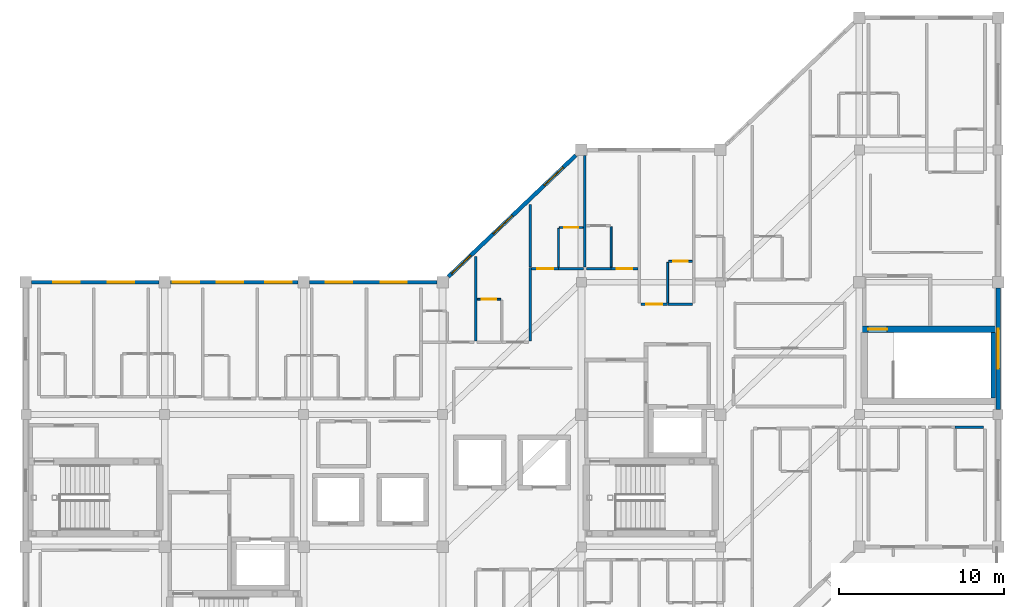
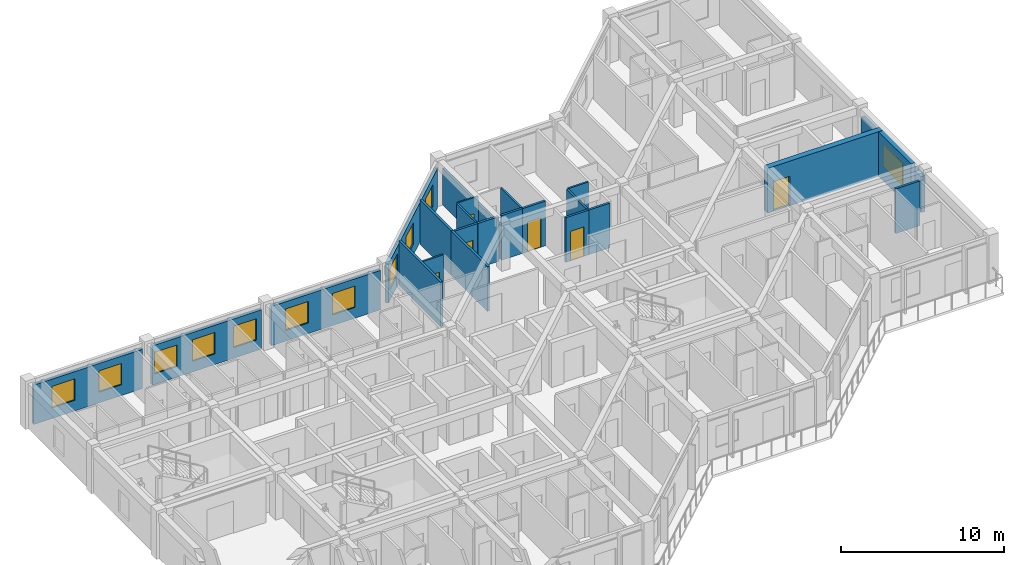
# One storey, part 11 of 15: 24 walls, 11 windows, 7 doors, 18 openings.
"""IFC4 building model written with IfcOpenShell, lengths in metres."""

from ifc_helpers import new_model, si_unit, direction, frame, frame_2d, origin, place, context, subcontext, project, spatial, rectangle, extrude, material, layer, layer_set, type_object, element, fill, save


model = new_model("IFC4")

# Units and contexts
model_context = context("Model", 3, precision=1e-05, world=origin(), true_north=direction((0.0, 1.0)))
body_context = subcontext(model_context, "Body", "Model", "MODEL_VIEW")
ifc_project = project(units=[si_unit("LENGTHUNIT", "METRE"), si_unit("AREAUNIT", "SQUARE_METRE"), si_unit("VOLUMEUNIT", "CUBIC_METRE"), si_unit("PLANEANGLEUNIT", "RADIAN"), si_unit("MASSUNIT", "GRAM", prefix="KILO")], contexts=[model_context])

# Site, building, storey
site_placement = place(None, origin())
site = spatial("IfcSite", under=ifc_project, at=site_placement, CompositionType="ELEMENT")
building_placement = place(site_placement, origin())
building = spatial("IfcBuilding", under=site, at=building_placement, Name="Naruveol Harbour Congress Hotel", CompositionType="ELEMENT")
storey_placement = place(building_placement, frame((0.0, 0.0, 32.39990234375)))
storey = spatial("IfcBuildingStorey", under=building, at=storey_placement, Name="L07", CompositionType="ELEMENT", Elevation=32.39990234375)

# Wall, opening, window
ifc_material_1 = material(Name="Precast concrete C40/50", Category="concrete")
ifc_layer_1 = layer(ifc_material_1, 0.280029296875)
ifc_layer_set_1 = layer_set([ifc_layer_1], Name="Precast concrete C40/50")
wall_type_1 = type_object("IfcWallType", Name="ARCHITECTURAL PRECAST FACADE WALL 280", PredefinedType="SOLIDWALL", material=ifc_layer_set_1)
wall_1_placement = place(storey_placement, frame((176.39990234375, 31.64990234375, 0.0), z_axis=(0.0, 0.0, 1.0), x_axis=(0.0, -1.0, 0.0)))
wall_1 = element("IfcWall", 1, at=wall_1_placement, inside=storey, type_object=wall_type_1, Name="Hotel east gable wall L07 EW-280", PredefinedType="SOLIDWALL", context=body_context, shape_type="SweptSolid", body=[
    extrude(rectangle(XDim=7.349853515625, YDim=0.280029296875, at=frame_2d((3.6748046875, 0.0))), origin(), (0.0, 0.0, 1.0), 2.7001953125),
])
opening_1_placement = place(wall_1_placement, frame((2.47509765625, 0.0, 0.5)))
opening_1 = element("IfcOpeningElement", 2, at=opening_1_placement, cuts=wall_1, Name="Opening W-07", PredefinedType="OPENING", context=body_context, shape_type="SweptSolid", body=[
    extrude(rectangle(XDim=2.39990234375, YDim=1.64990234375, at=frame_2d((1.199951171875, 0.824951171875))), frame((0.0, 0.14990234375, 0.0), z_axis=(0.0, -1.0, 0.0), x_axis=(1.0, 0.0, 0.0)), (0.0, 0.0, 1.0), 0.300048828125),
])
ifc_material_2 = material(Name="Low-E Triple Glazing in Thermal Aluminium", Category="aluminium")
window_type_1 = type_object("IfcWindowType", Name="CORNER SUITE WINDOW 2400X1650", PartitioningType="DOUBLE_PANEL_VERTICAL", PredefinedType="WINDOW", material=ifc_material_2)
window_1_placement = place(opening_1_placement, origin())
window_1 = element("IfcWindow", 3, at=window_1_placement, inside=storey, type_object=window_type_1, Name="Window W-07 #409", OverallHeight=1.64990234375, OverallWidth=2.39990234375, PartitioningType="DOUBLE_PANEL_VERTICAL", PredefinedType="WINDOW", context=body_context, shape_type="SweptSolid", body=[
    extrude(rectangle(XDim=2.39990234375, YDim=1.64990234375, at=frame_2d((1.199951171875, 0.824951171875))), frame((0.0, 0.030029296875, 0.0), z_axis=(0.0, -1.0, 0.0), x_axis=(1.0, 0.0, 0.0)), (0.0, 0.0, 1.0), 0.06005859375),
])
fill(opening_1, window_1)

# Wall, opening, door
ifc_material_3 = material(Name="Moisture-Resistant Gypsum Partition", Category="gypsum")
ifc_layer_2 = layer(ifc_material_3, 0.114990234375)
ifc_layer_set_2 = layer_set([ifc_layer_2], Name="Moisture-Resistant Gypsum Partition")
wall_type_2 = type_object("IfcWallType", Name="BATHROOM MOISTURE PARTITION WALL 115", PredefinedType="PARTITIONING", material=ifc_layer_set_2)
wall_2_placement = place(storey_placement, frame((144.89990234375, 30.969970703125, 0.0), z_axis=(0.0, 0.0, 1.0), x_axis=(1.0, 0.0, 0.0)))
wall_2 = element("IfcWall", 4, at=wall_2_placement, inside=storey, type_object=wall_type_2, Name="Bathroom north wall 0812 PW-115", PredefinedType="PARTITIONING", context=body_context, shape_type="SweptSolid", body=[
    extrude(rectangle(XDim=1.43017578125, YDim=0.114990234375, at=frame_2d((0.715087890625, 0.0))), origin(), (0.0, 0.0, 1.0), 3.335205078125),
])
opening_2_placement = place(wall_2_placement, frame((0.284912109375, 0.0, 0.0)))
opening_2 = element("IfcOpeningElement", 5, at=opening_2_placement, cuts=wall_2, Name="Opening BD-RM0812", PredefinedType="OPENING", context=body_context, shape_type="SweptSolid", body=[
    extrude(rectangle(XDim=0.860107421875, YDim=2.1201171875, at=frame_2d((0.43017578125, 1.06005859375))), frame((0.0, 0.0673828125, 0.0), z_axis=(0.0, -1.0, 0.0), x_axis=(1.0, 0.0, 0.0)), (0.0, 0.0, 1.0), 0.135009765625),
])
ifc_material_4 = material(Name="Timber & Steel Acoustic Leaf", Category="steel")
door_type_1 = type_object("IfcDoorType", Name="GUEST BATHROOM DOOR 860X2120", OperationType="NOTDEFINED", PredefinedType="DOOR", material=ifc_material_4)
door_1_placement = place(opening_2_placement, origin())
door_1 = element("IfcDoor", 6, at=door_1_placement, inside=storey, type_object=door_type_1, Name="Bathroom Door 0812", OperationType="SINGLE_SWING_RIGHT", OverallHeight=2.1201171875, OverallWidth=0.860107421875, PredefinedType="DOOR", context=body_context, shape_type="SweptSolid", body=[
    extrude(rectangle(XDim=0.860107421875, YDim=2.1201171875, at=frame_2d((0.43017578125, 1.06005859375))), frame((0.0, 0.02490234375, 0.0), z_axis=(0.0, -1.0, 0.0), x_axis=(1.0, 0.0, 0.0)), (0.0, 0.0, 1.0), 0.050048828125),
])
fill(opening_2, door_1)

# Wall
wall_3_placement = place(storey_placement, frame((149.81005859375, 32.909912109375, 0.0), z_axis=(0.0, 0.0, 1.0), x_axis=(0.0, 1.0, 0.0)))
element("IfcWall", 7, at=wall_3_placement, inside=storey, type_object=wall_type_2, Name="Bathroom west wall 0813 PW-115", PredefinedType="PARTITIONING", context=body_context, shape_type="SweptSolid", body=[
    extrude(rectangle(XDim=2.340087890625, YDim=0.114990234375, at=frame_2d((1.169921875, 0.0))), origin(), (0.0, 0.0, 1.0), 3.335205078125),
])

# Wall, opening, door
wall_4_placement = place(storey_placement, frame((149.8701171875, 35.31005859375, 0.0), z_axis=(0.0, 0.0, 1.0), x_axis=(1.0, 0.0, 0.0)))
wall_4 = element("IfcWall", 8, at=wall_4_placement, inside=storey, type_object=wall_type_2, Name="Bathroom north wall 0813 PW-115", PredefinedType="PARTITIONING", context=body_context, shape_type="SweptSolid", body=[
    extrude(rectangle(XDim=1.429931640625, YDim=0.114990234375, at=frame_2d((0.71484375, 0.0))), origin(), (0.0, 0.0, 1.0), 3.335205078125),
])
opening_3_placement = place(wall_4_placement, frame((0.284912109375, 0.0, 0.0)))
opening_3 = element("IfcOpeningElement", 9, at=opening_3_placement, cuts=wall_4, Name="Opening BD-RM0813", PredefinedType="OPENING", context=body_context, shape_type="SweptSolid", body=[
    extrude(rectangle(XDim=0.860107421875, YDim=2.1201171875, at=frame_2d((0.43017578125, 1.06005859375))), frame((0.0, 0.0673828125, 0.0), z_axis=(0.0, -1.0, 0.0), x_axis=(1.0, 0.0, 0.0)), (0.0, 0.0, 1.0), 0.135009765625),
])
door_2_placement = place(opening_3_placement, origin())
door_2 = element("IfcDoor", 10, at=door_2_placement, inside=storey, type_object=door_type_1, Name="Bathroom Door 0813", OperationType="SINGLE_SWING_RIGHT", OverallHeight=2.1201171875, OverallWidth=0.860107421875, PredefinedType="DOOR", context=body_context, shape_type="SweptSolid", body=[
    extrude(rectangle(XDim=0.860107421875, YDim=2.1201171875, at=frame_2d((0.43017578125, 1.06005859375))), frame((0.0, 0.02490234375, 0.0), z_axis=(0.0, -1.0, 0.0), x_axis=(1.0, 0.0, 0.0)), (0.0, 0.0, 1.0), 0.050048828125),
])
fill(opening_3, door_2)

# Walls
wall_5_placement = place(storey_placement, frame((152.989990234375, 32.909912109375, 0.0), z_axis=(0.0, 0.0, 1.0), x_axis=(0.0, 1.0, 0.0)))
element("IfcWall", 11, at=wall_5_placement, inside=storey, type_object=wall_type_2, Name="Bathroom east wall 0814 PW-115", PredefinedType="PARTITIONING", context=body_context, shape_type="SweptSolid", body=[
    extrude(rectangle(XDim=2.4501953125, YDim=0.114990234375, at=frame_2d((1.22509765625, 0.0))), origin(), (0.0, 0.0, 1.0), 3.335205078125),
])
wall_6_placement = place(storey_placement, frame((156.409912109375, 30.75, 0.0), z_axis=(0.0, 0.0, 1.0), x_axis=(0.0, 1.0, 0.0)))
element("IfcWall", 12, at=wall_6_placement, inside=storey, type_object=wall_type_2, Name="Bathroom west wall 0815 PW-115", PredefinedType="PARTITIONING", context=body_context, shape_type="SweptSolid", body=[
    extrude(rectangle(XDim=2.449951171875, YDim=0.114990234375, at=frame_2d((1.22509765625, 0.0))), origin(), (0.0, 0.0, 1.0), 3.335205078125),
])

# Wall, opening, door
wall_7_placement = place(storey_placement, frame((156.469970703125, 33.260009765625, 0.0), z_axis=(0.0, 0.0, 1.0), x_axis=(1.0, 0.0, 0.0)))
wall_7 = element("IfcWall", 13, at=wall_7_placement, inside=storey, type_object=wall_type_2, Name="Bathroom north wall 0815 PW-115", PredefinedType="PARTITIONING", context=body_context, shape_type="SweptSolid", body=[
    extrude(rectangle(XDim=1.429931640625, YDim=0.114990234375, at=frame_2d((0.71484375, 0.0))), origin(), (0.0, 0.0, 1.0), 3.335205078125),
])
opening_4_placement = place(wall_7_placement, frame((0.284912109375, 0.0, 0.0)))
opening_4 = element("IfcOpeningElement", 14, at=opening_4_placement, cuts=wall_7, Name="Opening BD-RM0815", PredefinedType="OPENING", context=body_context, shape_type="SweptSolid", body=[
    extrude(rectangle(XDim=0.860107421875, YDim=2.1201171875, at=frame_2d((0.43017578125, 1.06005859375))), frame((0.0, 0.0673828125, 0.0), z_axis=(0.0, -1.0, 0.0), x_axis=(1.0, 0.0, 0.0)), (0.0, 0.0, 1.0), 0.135009765625),
])
door_3_placement = place(opening_4_placement, origin())
door_3 = element("IfcDoor", 15, at=door_3_placement, inside=storey, type_object=door_type_1, Name="Bathroom Door 0815", OperationType="SINGLE_SWING_RIGHT", OverallHeight=2.1201171875, OverallWidth=0.860107421875, PredefinedType="DOOR", context=body_context, shape_type="SweptSolid", body=[
    extrude(rectangle(XDim=0.860107421875, YDim=2.1201171875, at=frame_2d((0.43017578125, 1.06005859375))), frame((0.0, 0.02490234375, 0.0), z_axis=(0.0, -1.0, 0.0), x_axis=(1.0, 0.0, 0.0)), (0.0, 0.0, 1.0), 0.050048828125),
])
fill(opening_4, door_3)

# Walls
ifc_material_5 = material(Name="Autoclaved Aerated Concrete Block", Category="concrete")
ifc_layer_3 = layer(ifc_material_5, 0.159912109375)
ifc_layer_set_3 = layer_set([ifc_layer_3], Name="Autoclaved Aerated Concrete Block")
wall_type_3 = type_object("IfcWallType", Name="HOTEL PARTY AND CORRIDOR WALL 160 EI60", PredefinedType="PARTITIONING", material=ifc_layer_set_3)
wall_8_placement = place(storey_placement, frame((144.800048828125, 28.4599609375, 0.0), z_axis=(0.0, 0.0, 1.0), x_axis=(0.0, 1.0, 0.0)))
element("IfcWall", 16, at=wall_8_placement, inside=storey, type_object=wall_type_3, Name="Hotel party wall 0812 PW-160", PredefinedType="PARTITIONING", context=body_context, shape_type="SweptSolid", body=[
    extrude(rectangle(XDim=5.10009765625, YDim=0.159912109375, at=frame_2d((2.550048828125, 0.0))), origin(), (0.0, 0.0, 1.0), 3.335205078125),
])
wall_9_placement = place(storey_placement, frame((148.10009765625, 28.4599609375, 0.0), z_axis=(0.0, 0.0, 1.0), x_axis=(0.0, 1.0, 0.0)))
element("IfcWall", 17, at=wall_9_placement, inside=storey, type_object=wall_type_3, Name="Hotel end party wall 0812 PW-160", PredefinedType="PARTITIONING", context=body_context, shape_type="SweptSolid", body=[
    extrude(rectangle(XDim=4.43994140625, YDim=0.159912109375, at=frame_2d((2.219970703125, 0.0))), origin(), (0.0, 0.0, 1.0), 3.335205078125),
])

# Wall, opening, door
wall_10_placement = place(storey_placement, frame((148.18994140625, 32.820068359375, 0.0), z_axis=(0.0, 0.0, 1.0), x_axis=(1.0, 0.0, 0.0)))
wall_10 = element("IfcWall", 18, at=wall_10_placement, inside=storey, type_object=wall_type_3, Name="Corridor entry wall 0813 PW-160", PredefinedType="PARTITIONING", context=body_context, shape_type="SweptSolid", body=[
    extrude(rectangle(XDim=1.6201171875, YDim=0.159912109375, at=frame_2d((0.81005859375, 0.0))), origin(), (0.0, 0.0, 1.0), 3.335205078125),
])
opening_5_placement = place(wall_10_placement, frame((0.330078125, 0.0, 0.0)))
opening_5 = element("IfcOpeningElement", 19, at=opening_5_placement, cuts=wall_10, Name="Opening FD-RM0813", PredefinedType="OPENING", context=body_context, shape_type="SweptSolid", body=[
    extrude(rectangle(XDim=0.9599609375, YDim=2.199951171875, at=frame_2d((0.47998046875, 1.10009765625))), frame((0.0, 0.08984375, 0.0), z_axis=(0.0, -1.0, 0.0), x_axis=(1.0, 0.0, 0.0)), (0.0, 0.0, 1.0), 0.179931640625),
])
ifc_material_6 = material(Name="Timber & Steel Acoustic Leaf", Category="steel")
door_type_2 = type_object("IfcDoorType", Name="GUEST ROOM ENTRANCE FIRE DOOR 960X2200", OperationType="NOTDEFINED", PredefinedType="DOOR", material=ifc_material_6)
door_4_placement = place(opening_5_placement, origin())
door_4 = element("IfcDoor", 20, at=door_4_placement, inside=storey, type_object=door_type_2, Name="Hotel Room Door 0813", OperationType="SINGLE_SWING_LEFT", OverallHeight=2.199951171875, OverallWidth=0.9599609375, PredefinedType="DOOR", context=body_context, shape_type="SweptSolid", body=[
    extrude(rectangle(XDim=0.9599609375, YDim=2.199951171875, at=frame_2d((0.47998046875, 1.10009765625))), frame((0.0, 0.02490234375, 0.0), z_axis=(0.0, -1.0, 0.0), x_axis=(1.0, 0.0, 0.0)), (0.0, 0.0, 1.0), 0.050048828125),
])
fill(opening_5, door_4)

# Walls
wall_11_placement = place(storey_placement, frame((149.820068359375, 32.820068359375, 0.0), z_axis=(0.0, 0.0, 1.0), x_axis=(1.0, 0.0, 0.0)))
element("IfcWall", 21, at=wall_11_placement, inside=storey, type_object=wall_type_3, Name="Corridor wall 0813B PW-160", PredefinedType="PARTITIONING", context=body_context, shape_type="SweptSolid", body=[
    extrude(rectangle(XDim=1.489990234375, YDim=0.159912109375, at=frame_2d((0.7451171875, 0.0))), origin(), (0.0, 0.0, 1.0), 3.335205078125),
])
wall_12_placement = place(storey_placement, frame((148.10009765625, 32.909912109375, 0.0), z_axis=(0.0, 0.0, 1.0), x_axis=(0.0, 1.0, 0.0)))
element("IfcWall", 22, at=wall_12_placement, inside=storey, type_object=wall_type_3, Name="Hotel party wall 0813 PW-160", PredefinedType="PARTITIONING", context=body_context, shape_type="SweptSolid", body=[
    extrude(rectangle(XDim=3.800048828125, YDim=0.159912109375, at=frame_2d((1.89990234375, 0.0))), origin(), (0.0, 0.0, 1.0), 3.335205078125),
])
wall_13_placement = place(storey_placement, frame((151.489990234375, 32.820068359375, 0.0), z_axis=(0.0, 0.0, 1.0), x_axis=(1.0, 0.0, 0.0)))
element("IfcWall", 23, at=wall_13_placement, inside=storey, type_object=wall_type_3, Name="Corridor wall 0814B PW-160", PredefinedType="PARTITIONING", context=body_context, shape_type="SweptSolid", body=[
    extrude(rectangle(XDim=1.489990234375, YDim=0.159912109375, at=frame_2d((0.7451171875, 0.0))), origin(), (0.0, 0.0, 1.0), 3.335205078125),
])

# Wall, opening, door
wall_14_placement = place(storey_placement, frame((152.989990234375, 32.820068359375, 0.0), z_axis=(0.0, 0.0, 1.0), x_axis=(1.0, 0.0, 0.0)))
wall_14 = element("IfcWall", 24, at=wall_14_placement, inside=storey, type_object=wall_type_3, Name="Corridor entry wall 0814 PW-160", PredefinedType="PARTITIONING", context=body_context, shape_type="SweptSolid", body=[
    extrude(rectangle(XDim=1.6201171875, YDim=0.159912109375, at=frame_2d((0.81005859375, 0.0))), origin(), (0.0, 0.0, 1.0), 3.335205078125),
])
opening_6_placement = place(wall_14_placement, frame((0.330078125, 0.0, 0.0)))
opening_6 = element("IfcOpeningElement", 25, at=opening_6_placement, cuts=wall_14, Name="Opening FD-RM0814", PredefinedType="OPENING", context=body_context, shape_type="SweptSolid", body=[
    extrude(rectangle(XDim=0.9599609375, YDim=2.199951171875, at=frame_2d((0.47998046875, 1.10009765625))), frame((0.0, 0.08984375, 0.0), z_axis=(0.0, -1.0, 0.0), x_axis=(1.0, 0.0, 0.0)), (0.0, 0.0, 1.0), 0.179931640625),
])
door_5_placement = place(opening_6_placement, origin())
door_5 = element("IfcDoor", 26, at=door_5_placement, inside=storey, type_object=door_type_2, Name="Hotel Room Door 0814", OperationType="SINGLE_SWING_LEFT", OverallHeight=2.199951171875, OverallWidth=0.9599609375, PredefinedType="DOOR", context=body_context, shape_type="SweptSolid", body=[
    extrude(rectangle(XDim=0.9599609375, YDim=2.199951171875, at=frame_2d((0.47998046875, 1.10009765625))), frame((0.0, 0.02490234375, 0.0), z_axis=(0.0, -1.0, 0.0), x_axis=(1.0, 0.0, 0.0)), (0.0, 0.0, 1.0), 0.050048828125),
])
fill(opening_6, door_5)

# Wall
wall_15_placement = place(storey_placement, frame((151.39990234375, 32.909912109375, 0.0), z_axis=(0.0, 0.0, 1.0), x_axis=(0.0, 1.0, 0.0)))
element("IfcWall", 27, at=wall_15_placement, inside=storey, type_object=wall_type_3, Name="Hotel party wall 0814 PW-160", PredefinedType="PARTITIONING", context=body_context, shape_type="SweptSolid", body=[
    extrude(rectangle(XDim=6.75, YDim=0.159912109375, at=frame_2d((3.375, 0.0))), origin(), (0.0, 0.0, 1.0), 2.739990234375),
])

# Wall, opening, door
wall_16_placement = place(storey_placement, frame((154.7900390625, 30.659912109375, 0.0), z_axis=(0.0, 0.0, 1.0), x_axis=(1.0, 0.0, 0.0)))
wall_16 = element("IfcWall", 28, at=wall_16_placement, inside=storey, type_object=wall_type_3, Name="Corridor entry wall 0815 PW-160", PredefinedType="PARTITIONING", context=body_context, shape_type="SweptSolid", body=[
    extrude(rectangle(XDim=1.619873046875, YDim=0.159912109375, at=frame_2d((0.81005859375, 0.0))), origin(), (0.0, 0.0, 1.0), 3.335205078125),
])
opening_7_placement = place(wall_16_placement, frame((0.330078125, 0.0, 0.0)))
opening_7 = element("IfcOpeningElement", 29, at=opening_7_placement, cuts=wall_16, Name="Opening FD-RM0815", PredefinedType="OPENING", context=body_context, shape_type="SweptSolid", body=[
    extrude(rectangle(XDim=0.9599609375, YDim=2.199951171875, at=frame_2d((0.47998046875, 1.10009765625))), frame((0.0, 0.08984375, 0.0), z_axis=(0.0, -1.0, 0.0), x_axis=(1.0, 0.0, 0.0)), (0.0, 0.0, 1.0), 0.179931640625),
])
door_6_placement = place(opening_7_placement, origin())
door_6 = element("IfcDoor", 30, at=door_6_placement, inside=storey, type_object=door_type_2, Name="Hotel Room Door 0815", OperationType="SINGLE_SWING_LEFT", OverallHeight=2.199951171875, OverallWidth=0.9599609375, PredefinedType="DOOR", context=body_context, shape_type="SweptSolid", body=[
    extrude(rectangle(XDim=0.9599609375, YDim=2.199951171875, at=frame_2d((0.47998046875, 1.10009765625))), frame((0.0, 0.02490234375, 0.0), z_axis=(0.0, -1.0, 0.0), x_axis=(1.0, 0.0, 0.0)), (0.0, 0.0, 1.0), 0.050048828125),
])
fill(opening_7, door_6)

# Walls
wall_17_placement = place(storey_placement, frame((156.419921875, 30.659912109375, 0.0), z_axis=(0.0, 0.0, 1.0), x_axis=(1.0, 0.0, 0.0)))
element("IfcWall", 31, at=wall_17_placement, inside=storey, type_object=wall_type_3, Name="Corridor wall 0815B PW-160", PredefinedType="PARTITIONING", context=body_context, shape_type="SweptSolid", body=[
    extrude(rectangle(XDim=1.489990234375, YDim=0.159912109375, at=frame_2d((0.7451171875, 0.0))), origin(), (0.0, 0.0, 1.0), 3.335205078125),
])
wall_18_placement = place(storey_placement, frame((173.800048828125, 23.22998046875, 0.0), z_axis=(0.0, 0.0, 1.0), x_axis=(1.0, 0.0, 0.0)))
element("IfcWall", 32, at=wall_18_placement, inside=storey, type_object=wall_type_3, Name="Corridor wall 0803B PW-160", PredefinedType="PARTITIONING", context=body_context, shape_type="SweptSolid", body=[
    extrude(rectangle(XDim=1.7099609375, YDim=0.159912109375, at=frame_2d((0.85498046875, 0.0))), origin(), (0.0, 0.0, 1.0), 3.335205078125),
])

# Wall, openings, windows
ifc_material_7 = material(Name="Concrete C40/50", Category="concrete")
ifc_layer_4 = layer(ifc_material_7, 0.239990234375)
ifc_layer_set_4 = layer_set([ifc_layer_4], Name="Concrete C40/50")
wall_type_4 = type_object("IfcWallType", Name="INSULATED HOTEL SPANDREL WALL 240", PredefinedType="SOLIDWALL", material=ifc_layer_set_4)
wall_19_placement = place(storey_placement, frame((117.949951171875, 32.0, 0.0), z_axis=(0.0, 0.0, 1.0), x_axis=(1.0, 0.0, 0.0)))
wall_19 = element("IfcWall", 33, at=wall_19_placement, inside=storey, type_object=wall_type_4, Name="Hotel north bay wall L07 EW-240", PredefinedType="SOLIDWALL", context=body_context, shape_type="SweptSolid", body=[
    extrude(rectangle(XDim=7.699951171875, YDim=0.239990234375, at=frame_2d((3.85009765625, 0.0))), origin(), (0.0, 0.0, 1.0), 2.940185546875),
])
opening_8_placement = place(wall_19_placement, frame((1.300048828125, 0.0, 0.800048828125)))
opening_8 = element("IfcOpeningElement", 34, at=opening_8_placement, cuts=wall_19, Name="Opening W-03", PredefinedType="OPENING", context=body_context, shape_type="SweptSolid", body=[
    extrude(rectangle(XDim=1.60009765625, YDim=1.60009765625, at=frame_2d((0.800048828125, 0.800048828125))), frame((0.0, 0.1298828125, 0.0), z_axis=(0.0, -1.0, 0.0), x_axis=(1.0, 0.0, 0.0)), (0.0, 0.0, 1.0), 0.260009765625),
])
opening_9_placement = place(wall_19_placement, frame((4.60009765625, 0.0, 0.800048828125)))
opening_9 = element("IfcOpeningElement", 35, at=opening_9_placement, cuts=wall_19, Name="Opening W-03", PredefinedType="OPENING", context=body_context, shape_type="SweptSolid", body=[
    extrude(rectangle(XDim=1.60009765625, YDim=1.60009765625, at=frame_2d((0.800048828125, 0.800048828125))), frame((0.0, 0.1298828125, 0.0), z_axis=(0.0, -1.0, 0.0), x_axis=(1.0, 0.0, 0.0)), (0.0, 0.0, 1.0), 0.260009765625),
])
ifc_material_8 = material(Name="Low-E Triple Glazing in Thermal Aluminium", Category="aluminium")
window_type_2 = type_object("IfcWindowType", Name="DELUXE GUEST WINDOW 1600X1600", PartitioningType="SINGLE_PANEL", PredefinedType="WINDOW", material=ifc_material_8)
window_2_placement = place(opening_8_placement, origin())
window_2 = element("IfcWindow", 36, at=window_2_placement, inside=storey, type_object=window_type_2, Name="Window W-03 #381", OverallHeight=1.60009765625, OverallWidth=1.60009765625, PartitioningType="SINGLE_PANEL", PredefinedType="WINDOW", context=body_context, shape_type="SweptSolid", body=[
    extrude(rectangle(XDim=1.60009765625, YDim=1.60009765625, at=frame_2d((0.800048828125, 0.800048828125))), frame((0.0, 0.030029296875, 0.0), z_axis=(0.0, -1.0, 0.0), x_axis=(1.0, 0.0, 0.0)), (0.0, 0.0, 1.0), 0.06005859375),
])
fill(opening_8, window_2)
window_3_placement = place(opening_9_placement, origin())
window_3 = element("IfcWindow", 37, at=window_3_placement, inside=storey, type_object=window_type_2, Name="Window W-03 #382", OverallHeight=1.60009765625, OverallWidth=1.60009765625, PartitioningType="SINGLE_PANEL", PredefinedType="WINDOW", context=body_context, shape_type="SweptSolid", body=[
    extrude(rectangle(XDim=1.60009765625, YDim=1.60009765625, at=frame_2d((0.800048828125, 0.800048828125))), frame((0.0, 0.030029296875, 0.0), z_axis=(0.0, -1.0, 0.0), x_axis=(1.0, 0.0, 0.0)), (0.0, 0.0, 1.0), 0.06005859375),
])
fill(opening_9, window_3)

wall_20_placement = place(storey_placement, frame((126.35009765625, 32.0, 0.0), z_axis=(0.0, 0.0, 1.0), x_axis=(1.0, 0.0, 0.0)))
wall_20 = element("IfcWall", 38, at=wall_20_placement, inside=storey, type_object=wall_type_4, Name="Hotel north bay wall L07 EW-240", PredefinedType="SOLIDWALL", context=body_context, shape_type="SweptSolid", body=[
    extrude(rectangle(XDim=7.699951171875, YDim=0.239990234375, at=frame_2d((3.85009765625, 0.0))), origin(), (0.0, 0.0, 1.0), 2.940185546875),
])
opening_10_placement = place(wall_20_placement, frame((0.125, 0.0, 0.800048828125)))
opening_10 = element("IfcOpeningElement", 39, at=opening_10_placement, cuts=wall_20, Name="Opening W-03", PredefinedType="OPENING", context=body_context, shape_type="SweptSolid", body=[
    extrude(rectangle(XDim=1.60009765625, YDim=1.60009765625, at=frame_2d((0.800048828125, 0.800048828125))), frame((0.0, 0.1298828125, 0.0), z_axis=(0.0, -1.0, 0.0), x_axis=(1.0, 0.0, 0.0)), (0.0, 0.0, 1.0), 0.260009765625),
])
opening_11_placement = place(wall_20_placement, frame((2.800048828125, 0.0, 0.800048828125)))
opening_11 = element("IfcOpeningElement", 40, at=opening_11_placement, cuts=wall_20, Name="Opening W-03", PredefinedType="OPENING", context=body_context, shape_type="SweptSolid", body=[
    extrude(rectangle(XDim=1.60009765625, YDim=1.60009765625, at=frame_2d((0.800048828125, 0.800048828125))), frame((0.0, 0.1298828125, 0.0), z_axis=(0.0, -1.0, 0.0), x_axis=(1.0, 0.0, 0.0)), (0.0, 0.0, 1.0), 0.260009765625),
])
opening_12_placement = place(wall_20_placement, frame((5.72509765625, 0.0, 0.800048828125)))
opening_12 = element("IfcOpeningElement", 41, at=opening_12_placement, cuts=wall_20, Name="Opening W-03", PredefinedType="OPENING", context=body_context, shape_type="SweptSolid", body=[
    extrude(rectangle(XDim=1.60009765625, YDim=1.60009765625, at=frame_2d((0.800048828125, 0.800048828125))), frame((0.0, 0.1298828125, 0.0), z_axis=(0.0, -1.0, 0.0), x_axis=(1.0, 0.0, 0.0)), (0.0, 0.0, 1.0), 0.260009765625),
])
window_4_placement = place(opening_10_placement, origin())
window_4 = element("IfcWindow", 42, at=window_4_placement, inside=storey, type_object=window_type_2, Name="Window W-03 #385", OverallHeight=1.60009765625, OverallWidth=1.60009765625, PartitioningType="SINGLE_PANEL", PredefinedType="WINDOW", context=body_context, shape_type="SweptSolid", body=[
    extrude(rectangle(XDim=1.60009765625, YDim=1.60009765625, at=frame_2d((0.800048828125, 0.800048828125))), frame((0.0, 0.030029296875, 0.0), z_axis=(0.0, -1.0, 0.0), x_axis=(1.0, 0.0, 0.0)), (0.0, 0.0, 1.0), 0.06005859375),
])
fill(opening_10, window_4)
window_5_placement = place(opening_11_placement, origin())
window_5 = element("IfcWindow", 43, at=window_5_placement, inside=storey, type_object=window_type_2, Name="Window W-03 #386", OverallHeight=1.60009765625, OverallWidth=1.60009765625, PartitioningType="SINGLE_PANEL", PredefinedType="WINDOW", context=body_context, shape_type="SweptSolid", body=[
    extrude(rectangle(XDim=1.60009765625, YDim=1.60009765625, at=frame_2d((0.800048828125, 0.800048828125))), frame((0.0, 0.030029296875, 0.0), z_axis=(0.0, -1.0, 0.0), x_axis=(1.0, 0.0, 0.0)), (0.0, 0.0, 1.0), 0.06005859375),
])
fill(opening_11, window_5)
window_6_placement = place(opening_12_placement, origin())
window_6 = element("IfcWindow", 44, at=window_6_placement, inside=storey, type_object=window_type_2, Name="Window W-03 #387", OverallHeight=1.60009765625, OverallWidth=1.60009765625, PartitioningType="SINGLE_PANEL", PredefinedType="WINDOW", context=body_context, shape_type="SweptSolid", body=[
    extrude(rectangle(XDim=1.60009765625, YDim=1.60009765625, at=frame_2d((0.800048828125, 0.800048828125))), frame((0.0, 0.030029296875, 0.0), z_axis=(0.0, -1.0, 0.0), x_axis=(1.0, 0.0, 0.0)), (0.0, 0.0, 1.0), 0.06005859375),
])
fill(opening_12, window_6)

wall_21_placement = place(storey_placement, frame((134.75, 32.0, 0.0), z_axis=(0.0, 0.0, 1.0), x_axis=(1.0, 0.0, 0.0)))
wall_21 = element("IfcWall", 45, at=wall_21_placement, inside=storey, type_object=wall_type_4, Name="Hotel north bay wall L07 EW-240", PredefinedType="SOLIDWALL", context=body_context, shape_type="SweptSolid", body=[
    extrude(rectangle(XDim=7.699951171875, YDim=0.239990234375, at=frame_2d((3.85009765625, 0.0))), origin(), (0.0, 0.0, 1.0), 2.940185546875),
])
opening_13_placement = place(wall_21_placement, frame((1.0, 0.0, 0.800048828125)))
opening_13 = element("IfcOpeningElement", 46, at=opening_13_placement, cuts=wall_21, Name="Opening W-03", PredefinedType="OPENING", context=body_context, shape_type="SweptSolid", body=[
    extrude(rectangle(XDim=1.60009765625, YDim=1.60009765625, at=frame_2d((0.800048828125, 0.800048828125))), frame((0.0, 0.1298828125, 0.0), z_axis=(0.0, -1.0, 0.0), x_axis=(1.0, 0.0, 0.0)), (0.0, 0.0, 1.0), 0.260009765625),
])
opening_14_placement = place(wall_21_placement, frame((4.300048828125, 0.0, 0.800048828125)))
opening_14 = element("IfcOpeningElement", 47, at=opening_14_placement, cuts=wall_21, Name="Opening W-03", PredefinedType="OPENING", context=body_context, shape_type="SweptSolid", body=[
    extrude(rectangle(XDim=1.60009765625, YDim=1.60009765625, at=frame_2d((0.800048828125, 0.800048828125))), frame((0.0, 0.1298828125, 0.0), z_axis=(0.0, -1.0, 0.0), x_axis=(1.0, 0.0, 0.0)), (0.0, 0.0, 1.0), 0.260009765625),
])
window_7_placement = place(opening_13_placement, origin())
window_7 = element("IfcWindow", 48, at=window_7_placement, inside=storey, type_object=window_type_2, Name="Window W-03 #389", OverallHeight=1.60009765625, OverallWidth=1.60009765625, PartitioningType="SINGLE_PANEL", PredefinedType="WINDOW", context=body_context, shape_type="SweptSolid", body=[
    extrude(rectangle(XDim=1.60009765625, YDim=1.60009765625, at=frame_2d((0.800048828125, 0.800048828125))), frame((0.0, 0.030029296875, 0.0), z_axis=(0.0, -1.0, 0.0), x_axis=(1.0, 0.0, 0.0)), (0.0, 0.0, 1.0), 0.06005859375),
])
fill(opening_13, window_7)
window_8_placement = place(opening_14_placement, origin())
window_8 = element("IfcWindow", 49, at=window_8_placement, inside=storey, type_object=window_type_2, Name="Window W-03 #390", OverallHeight=1.60009765625, OverallWidth=1.60009765625, PartitioningType="SINGLE_PANEL", PredefinedType="WINDOW", context=body_context, shape_type="SweptSolid", body=[
    extrude(rectangle(XDim=1.60009765625, YDim=1.60009765625, at=frame_2d((0.800048828125, 0.800048828125))), frame((0.0, 0.030029296875, 0.0), z_axis=(0.0, -1.0, 0.0), x_axis=(1.0, 0.0, 0.0)), (0.0, 0.0, 1.0), 0.06005859375),
])
fill(opening_14, window_8)

wall_22_placement = place(storey_placement, frame((143.14990234375, 32.3330078125, 0.0), z_axis=(0.0, 0.0, 1.0), x_axis=(0.724116091282, 0.689678103427, 0.0)))
wall_22 = element("IfcWall", 50, at=wall_22_placement, inside=storey, type_object=wall_type_4, Name="Hotel north bay wall L07 EW-240", PredefinedType="SOLIDWALL", context=body_context, shape_type="SweptSolid", body=[
    extrude(rectangle(XDim=10.634033203125, YDim=0.239990234375, at=frame_2d((5.31689453125, 0.0))), origin(), (0.0, 0.0, 1.0), 2.940185546875),
])
opening_15_placement = place(wall_22_placement, frame((0.27001953125, 0.0, 0.800048828125)))
opening_15 = element("IfcOpeningElement", 51, at=opening_15_placement, cuts=wall_22, Name="Opening W-03", PredefinedType="OPENING", context=body_context, shape_type="SweptSolid", body=[
    extrude(rectangle(XDim=1.60009765625, YDim=1.60009765625, at=frame_2d((0.800048828125, 0.800048828125))), frame((0.0, 0.1298828125, 0.0), z_axis=(0.0, -1.0, 0.0), x_axis=(1.0, 0.0, 0.0)), (0.0, 0.0, 1.0), 0.260009765625),
])
opening_16_placement = place(wall_22_placement, frame((3.757080078125, 0.0, 0.800048828125)))
opening_16 = element("IfcOpeningElement", 52, at=opening_16_placement, cuts=wall_22, Name="Opening W-03", PredefinedType="OPENING", context=body_context, shape_type="SweptSolid", body=[
    extrude(rectangle(XDim=1.60009765625, YDim=1.60009765625, at=frame_2d((0.800048828125, 0.800048828125))), frame((0.0, 0.1298828125, 0.0), z_axis=(0.0, -1.0, 0.0), x_axis=(1.0, 0.0, 0.0)), (0.0, 0.0, 1.0), 0.260009765625),
])
opening_17_placement = place(wall_22_placement, frame((8.00390625, 0.0, 0.800048828125)))
opening_17 = element("IfcOpeningElement", 53, at=opening_17_placement, cuts=wall_22, Name="Opening W-03", PredefinedType="OPENING", context=body_context, shape_type="SweptSolid", body=[
    extrude(rectangle(XDim=1.60009765625, YDim=1.60009765625, at=frame_2d((0.800048828125, 0.800048828125))), frame((0.0, 0.1298828125, 0.0), z_axis=(0.0, -1.0, 0.0), x_axis=(1.0, 0.0, 0.0)), (0.0, 0.0, 1.0), 0.260009765625),
])
window_9_placement = place(opening_15_placement, origin())
window_9 = element("IfcWindow", 54, at=window_9_placement, inside=storey, type_object=window_type_2, Name="Window W-03 #393", OverallHeight=1.60009765625, OverallWidth=1.60009765625, PartitioningType="SINGLE_PANEL", PredefinedType="WINDOW", context=body_context, shape_type="SweptSolid", body=[
    extrude(rectangle(XDim=1.60009765625, YDim=1.60009765625, at=frame_2d((0.800048828125, 0.800048828125))), frame((0.0, 0.030029296875, 0.0), z_axis=(0.0, -1.0, 0.0), x_axis=(1.0, 0.0, 0.0)), (0.0, 0.0, 1.0), 0.06005859375),
])
fill(opening_15, window_9)
window_10_placement = place(opening_16_placement, origin())
window_10 = element("IfcWindow", 55, at=window_10_placement, inside=storey, type_object=window_type_2, Name="Window W-03 #394", OverallHeight=1.60009765625, OverallWidth=1.60009765625, PartitioningType="SINGLE_PANEL", PredefinedType="WINDOW", context=body_context, shape_type="SweptSolid", body=[
    extrude(rectangle(XDim=1.60009765625, YDim=1.60009765625, at=frame_2d((0.800048828125, 0.800048828125))), frame((0.0, 0.030029296875, 0.0), z_axis=(0.0, -1.0, 0.0), x_axis=(1.0, 0.0, 0.0)), (0.0, 0.0, 1.0), 0.06005859375),
])
fill(opening_16, window_10)
window_11_placement = place(opening_17_placement, origin())
window_11 = element("IfcWindow", 56, at=window_11_placement, inside=storey, type_object=window_type_2, Name="Window W-03 #395", OverallHeight=1.60009765625, OverallWidth=1.60009765625, PartitioningType="SINGLE_PANEL", PredefinedType="WINDOW", context=body_context, shape_type="SweptSolid", body=[
    extrude(rectangle(XDim=1.60009765625, YDim=1.60009765625, at=frame_2d((0.800048828125, 0.800048828125))), frame((0.0, 0.030029296875, 0.0), z_axis=(0.0, -1.0, 0.0), x_axis=(1.0, 0.0, 0.0)), (0.0, 0.0, 1.0), 0.06005859375),
])
fill(opening_17, window_11)

# Wall, opening, door
ifc_material_9 = material(Name="Concrete C50/60", Category="concrete")
ifc_layer_5 = layer(ifc_material_9, 0.39990234375)
ifc_layer_set_5 = layer_set([ifc_layer_5], Name="Concrete C50/60")
wall_type_5 = type_object("IfcWallType", Name="RC CORE SHEAR WALL 400 EI120", PredefinedType="SHEAR", material=ifc_layer_set_5)
wall_23_placement = place(storey_placement, frame((168.10009765625, 29.159912109375, 0.0), z_axis=(0.0, 0.0, 1.0), x_axis=(1.0, 0.0, 0.0)))
wall_23 = element("IfcWall", 57, at=wall_23_placement, inside=storey, type_object=wall_type_5, Name="Stair ST4 north core wall CW-400", PredefinedType="SHEAR", context=body_context, shape_type="SweptSolid", body=[
    extrude(rectangle(XDim=8.14990234375, YDim=0.39990234375, at=frame_2d((4.074951171875, 0.0))), origin(), (0.0, 0.0, 1.0), 3.335205078125),
])
opening_18_placement = place(wall_23_placement, frame((0.429931640625, 0.0, 0.0)))
opening_18 = element("IfcOpeningElement", 58, at=opening_18_placement, cuts=wall_23, Name="Opening FD-ST4-S-L07", PredefinedType="OPENING", context=body_context, shape_type="SweptSolid", body=[
    extrude(rectangle(XDim=1.159912109375, YDim=2.199951171875, at=frame_2d((0.580078125, 1.10009765625))), frame((0.0, 0.2099609375, 0.0), z_axis=(0.0, -1.0, 0.0), x_axis=(1.0, 0.0, 0.0)), (0.0, 0.0, 1.0), 0.419921875),
])
ifc_material_10 = material(Name="Timber & Steel Acoustic Leaf", Category="steel")
door_type_3 = type_object("IfcDoorType", Name="SPECIAL ESCAPE STAIR FIRE DOOR 1160X2200", OperationType="NOTDEFINED", PredefinedType="DOOR", material=ifc_material_10)
door_7_placement = place(opening_18_placement, origin())
door_7 = element("IfcDoor", 59, at=door_7_placement, inside=storey, type_object=door_type_3, Name="Special Escape Stair Door ST4 L07", OperationType="SINGLE_SWING_RIGHT", OverallHeight=2.199951171875, OverallWidth=1.159912109375, PredefinedType="DOOR", context=body_context, shape_type="SweptSolid", body=[
    extrude(rectangle(XDim=1.159912109375, YDim=2.199951171875, at=frame_2d((0.580078125, 1.10009765625))), frame((0.0, 0.02490234375, 0.0), z_axis=(0.0, -1.0, 0.0), x_axis=(1.0, 0.0, 0.0)), (0.0, 0.0, 1.0), 0.050048828125),
])
fill(opening_18, door_7)

# Wall
ifc_material_11 = material(Name="Concrete C50/60", Category="concrete")
ifc_layer_6 = layer(ifc_material_11, 0.300048828125)
ifc_layer_set_6 = layer_set([ifc_layer_6], Name="Concrete C50/60")
wall_type_6 = type_object("IfcWallType", Name="RC STAIR AND HOISTWAY SHEAR WALL 300 EI120", PredefinedType="SHEAR", material=ifc_layer_set_6)
wall_24_placement = place(storey_placement, frame((176.10009765625, 25.0048828125, 0.0), z_axis=(0.0, 0.0, 1.0), x_axis=(0.0, 1.0, 0.0)))
element("IfcWall", 60, at=wall_24_placement, inside=storey, type_object=wall_type_6, Name="Stair ST4 east core wall SW-300", PredefinedType="SHEAR", context=body_context, shape_type="SweptSolid", body=[
    extrude(rectangle(XDim=3.9501953125, YDim=0.300048828125, at=frame_2d((1.97509765625, 0.0))), origin(), (0.0, 0.0, 1.0), 3.335205078125),
])

save(model, "model.ifc")
